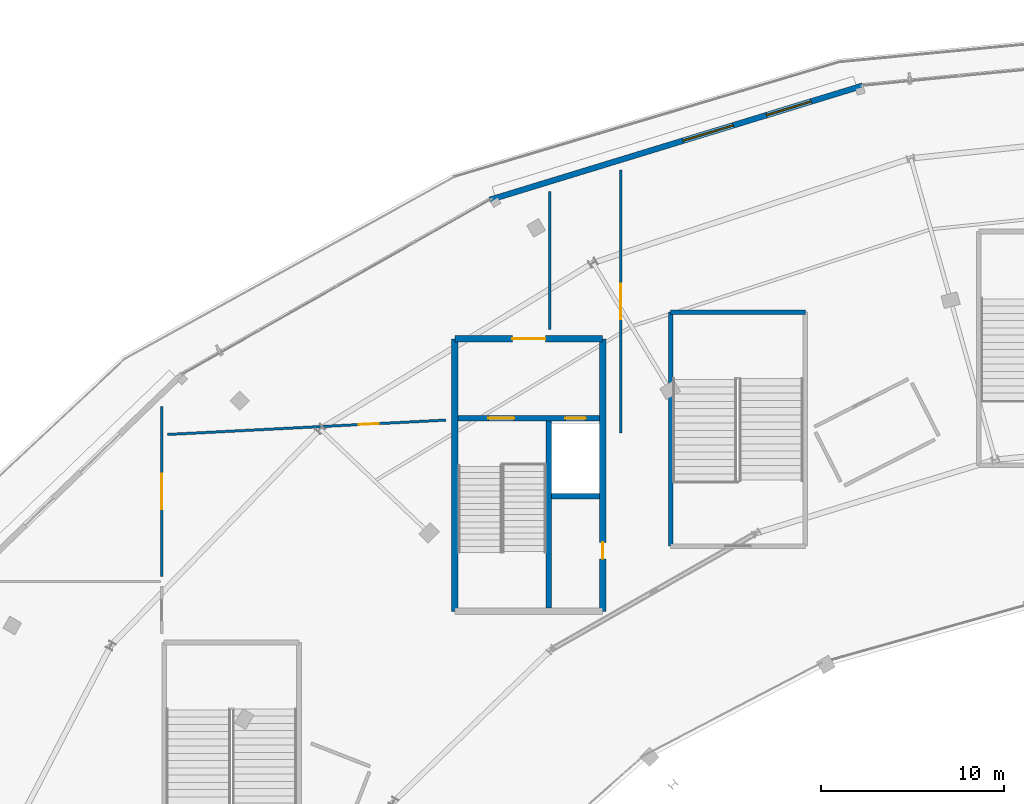
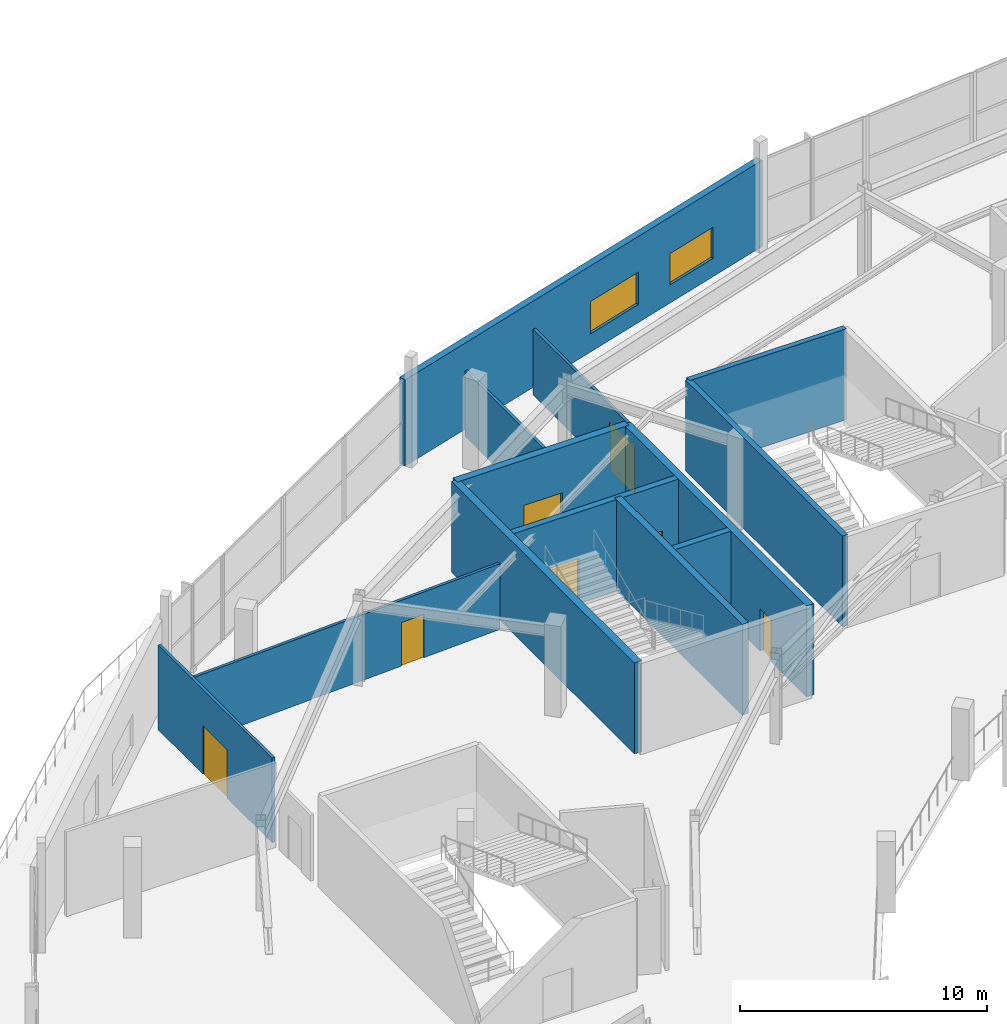
# One storey, part 89 of 123: 13 walls, 7 doors, 2 windows, 9 openings.
"""IFC4 building model written with IfcOpenShell, lengths in metres."""

from ifc_helpers import new_model, si_unit, direction, frame, frame_2d, origin, place, context, subcontext, project, spatial, rectangle, extrude, material, layer, layer_set, type_object, element, fill, save


model = new_model("IFC4")

# Units and contexts
model_context = context("Model", 3, precision=1e-05, world=origin(), true_north=direction((0.0, 1.0)))
body_context = subcontext(model_context, "Body", "Model", "MODEL_VIEW")
ifc_project = project(units=[si_unit("LENGTHUNIT", "METRE"), si_unit("AREAUNIT", "SQUARE_METRE"), si_unit("VOLUMEUNIT", "CUBIC_METRE"), si_unit("PLANEANGLEUNIT", "RADIAN"), si_unit("MASSUNIT", "GRAM", prefix="KILO")], contexts=[model_context])

# Site, building, storey
site_placement = place(None, origin())
site = spatial("IfcSite", under=ifc_project, at=site_placement, CompositionType="ELEMENT")
building_placement = place(site_placement, origin())
building = spatial("IfcBuilding", under=site, at=building_placement, Name="Kalgoora Escarpment Arena", CompositionType="ELEMENT")
storey_placement = place(building_placement, frame((0.0, 0.0, 9.89990234375)))
storey = spatial("IfcBuildingStorey", under=building, at=storey_placement, Name="L02", CompositionType="ELEMENT", Elevation=9.89990234375)

# Wall, opening, door
ifc_material_1 = material(Name="Concrete N50 (fc' 50 MPa)", Category="concrete")
ifc_layer_1 = layer(ifc_material_1, 0.35009765625)
ifc_layer_set_1 = layer_set([ifc_layer_1], Name="WAL-CORE-350")
wall_type_1 = type_object("IfcWallType", Name="WAL-CORE-350", PredefinedType="SHEAR", material=ifc_layer_set_1)
wall_1_placement = place(storey_placement, frame((48.97509765625, 109.22509765625, 0.0), z_axis=(0.0, 0.0, 1.0), x_axis=(1.0, 0.0, 0.0)))
wall_1 = element("IfcWall", 1, at=wall_1_placement, inside=storey, type_object=wall_type_1, Name="Core C3 L02 north lobby wall", PredefinedType="SHEAR", context=body_context, shape_type="SweptSolid", body=[
    extrude(rectangle(XDim=8.0498046875, YDim=0.35009765625, at=frame_2d((4.02490234375, 0.0))), origin(), (0.0, 0.0, 1.0), 4.5),
])
opening_1_placement = place(wall_1_placement, frame((3.125, 0.0, 0.0)))
opening_1 = element("IfcOpeningElement", 2, at=opening_1_placement, cuts=wall_1, Name="Opening FD-C3L", PredefinedType="OPENING", context=body_context, shape_type="SweptSolid", body=[
    extrude(rectangle(XDim=1.800048828125, YDim=2.25, at=frame_2d((0.89990234375, 1.125))), frame((0.0, 0.18505859375, 0.0), z_axis=(0.0, -1.0, 0.0), x_axis=(1.0, 0.0, 0.0)), (0.0, 0.0, 1.0), 0.3701171875),
])
ifc_material_2 = material(Name="Double fire-rated smoke-seal lobby door")
door_type_1 = type_object("IfcDoorType", Name="DR-LOBBY-1800", OperationType="NOTDEFINED", PredefinedType="DOOR", material=ifc_material_2)
door_1_placement = place(opening_1_placement, origin())
door_1 = element("IfcDoor", 3, at=door_1_placement, inside=storey, type_object=door_type_1, Name="Core C3 L02 smoke-lobby fire door", OperationType="DOUBLE_DOOR_SINGLE_SWING", OverallHeight=2.25, OverallWidth=1.800048828125, PredefinedType="DOOR", context=body_context, shape_type="SweptSolid", body=[
    extrude(rectangle(XDim=1.800048828125, YDim=2.25, at=frame_2d((0.89990234375, 1.125))), frame((0.0, 0.02490234375, 0.0), z_axis=(0.0, -1.0, 0.0), x_axis=(1.0, 0.0, 0.0)), (0.0, 0.0, 1.0), 0.050048828125),
])
fill(opening_1, door_1)

# Wall
wall_2_placement = place(storey_placement, frame((48.97509765625, 94.375, 0.0), z_axis=(0.0, 0.0, 1.0), x_axis=(0.0, 1.0, 0.0)))
element("IfcWall", 4, at=wall_2_placement, inside=storey, type_object=wall_type_1, Name="Core C3 L02 west shear wall", PredefinedType="SHEAR", context=body_context, shape_type="SweptSolid", body=[
    extrude(rectangle(XDim=14.85009765625, YDim=0.35009765625, at=frame_2d((7.425048828125, 0.0))), origin(), (0.0, 0.0, 1.0), 4.5),
])

# Wall, opening, door
wall_3_placement = place(storey_placement, frame((57.02490234375, 94.375, 0.0), z_axis=(0.0, 0.0, 1.0), x_axis=(0.0, 1.0, 0.0)))
wall_3 = element("IfcWall", 5, at=wall_3_placement, inside=storey, type_object=wall_type_1, Name="Core C3 L02 east shear wall", PredefinedType="SHEAR", context=body_context, shape_type="SweptSolid", body=[
    extrude(rectangle(XDim=14.85009765625, YDim=0.35009765625, at=frame_2d((7.425048828125, 0.0))), origin(), (0.0, 0.0, 1.0), 4.5),
])
opening_2_placement = place(wall_3_placement, frame((2.85498046875, 0.0, 0.0)))
opening_2 = element("IfcOpeningElement", 6, at=opening_2_placement, cuts=wall_3, Name="Opening FD-C3R", PredefinedType="OPENING", context=body_context, shape_type="SweptSolid", body=[
    extrude(rectangle(XDim=0.89990234375, YDim=2.10009765625, at=frame_2d((0.449951171875, 1.050048828125))), frame((0.0, 0.18505859375, 0.0), z_axis=(0.0, -1.0, 0.0), x_axis=(1.0, 0.0, 0.0)), (0.0, 0.0, 1.0), 0.3701171875),
])
ifc_material_3 = material(Name="Fire-rated steel riser access door", Category="steel")
door_type_2 = type_object("IfcDoorType", Name="DR-RISER-0900", OperationType="NOTDEFINED", PredefinedType="DOOR", material=ifc_material_3)
door_2_placement = place(opening_2_placement, origin())
door_2 = element("IfcDoor", 7, at=door_2_placement, inside=storey, type_object=door_type_2, Name="Core C3 L02 riser cupboard access door", OperationType="SINGLE_SWING_RIGHT", OverallHeight=2.10009765625, OverallWidth=0.89990234375, PredefinedType="DOOR", context=body_context, shape_type="SweptSolid", body=[
    extrude(rectangle(XDim=0.89990234375, YDim=2.10009765625, at=frame_2d((0.449951171875, 1.050048828125))), frame((0.0, 0.02490234375, 0.0), z_axis=(0.0, -1.0, 0.0), x_axis=(1.0, 0.0, 0.0)), (0.0, 0.0, 1.0), 0.050048828125),
])
fill(opening_2, door_2)

ifc_material_4 = material(Name="Hospitality acoustic drywall partition", Category="gypsum")
ifc_layer_2 = layer(ifc_material_4, 0.135009765625)
ifc_layer_set_2 = layer_set([ifc_layer_2], Name="WAL-DIN-135")
wall_type_2 = type_object("IfcWallType", Name="WAL-DIN-135", PredefinedType="PARTITIONING", material=ifc_layer_set_2)
wall_4_placement = place(storey_placement, frame((33.0, 105.531005859375, 0.0), z_axis=(0.0, 0.0, 1.0), x_axis=(0.0, -1.0, 0.0)))
wall_4 = element("IfcWall", 8, at=wall_4_placement, inside=storey, type_object=wall_type_2, Name="L02 Corporate Dining partition wall", PredefinedType="PARTITIONING", context=body_context, shape_type="SweptSolid", body=[
    extrude(rectangle(XDim=9.24609375, YDim=0.135009765625, at=frame_2d((4.623046875, 0.0))), origin(), (0.0, 0.0, 1.0), 4.190185546875),
])
opening_3_placement = place(wall_4_placement, frame((3.648193359375, 0.0, 0.0)))
opening_3 = element("IfcOpeningElement", 9, at=opening_3_placement, cuts=wall_4, Name="Opening FD-I095", PredefinedType="OPENING", context=body_context, shape_type="SweptSolid", body=[
    extrude(rectangle(XDim=1.949951171875, YDim=2.39990234375, at=frame_2d((0.97509765625, 1.199951171875))), frame((0.0, 0.077392578125, 0.0), z_axis=(0.0, -1.0, 0.0), x_axis=(1.0, 0.0, 0.0)), (0.0, 0.0, 1.0), 0.155029296875),
])
ifc_material_5 = material(Name="Glazed champagne-framed hospitality double door")
door_type_3 = type_object("IfcDoorType", Name="DR-CLUB-1950", OperationType="NOTDEFINED", PredefinedType="DOOR", material=ifc_material_5)
door_3_placement = place(opening_3_placement, origin())
door_3 = element("IfcDoor", 10, at=door_3_placement, inside=storey, type_object=door_type_3, Name="Corporate Dining entrance door", OperationType="DOUBLE_DOOR_SINGLE_SWING", OverallHeight=2.39990234375, OverallWidth=1.949951171875, PredefinedType="DOOR", context=body_context, shape_type="SweptSolid", body=[
    extrude(rectangle(XDim=1.949951171875, YDim=2.39990234375, at=frame_2d((0.97509765625, 1.199951171875))), frame((0.0, 0.02490234375, 0.0), z_axis=(0.0, -1.0, 0.0), x_axis=(1.0, 0.0, 0.0)), (0.0, 0.0, 1.0), 0.050048828125),
])
fill(opening_3, door_3)

wall_5_placement = place(storey_placement, frame((48.47509765625, 104.79443359375, 0.0), z_axis=(0.0, 0.0, 1.0), x_axis=(-0.998670837392, -0.051541813545, 0.0)))
wall_5 = element("IfcWall", 11, at=wall_5_placement, inside=storey, type_object=wall_type_2, Name="L02 Founders Champagne Salon partition wall", PredefinedType="PARTITIONING", context=body_context, shape_type="SweptSolid", body=[
    extrude(rectangle(XDim=15.195556640625, YDim=0.135009765625, at=frame_2d((7.59765625, 0.0))), origin(), (0.0, 0.0, 1.0), 3.255126953125),
])
opening_4_placement = place(wall_5_placement, frame((3.669921875, 0.0, 0.0)))
opening_4 = element("IfcOpeningElement", 12, at=opening_4_placement, cuts=wall_5, Name="Opening FD-I096", PredefinedType="OPENING", context=body_context, shape_type="SweptSolid", body=[
    extrude(rectangle(XDim=1.080078125, YDim=2.14990234375, at=frame_2d((0.5400390625, 1.074951171875))), frame((0.0, 0.077392578125, 0.0), z_axis=(0.0, -1.0, 0.0), x_axis=(1.0, 0.0, 0.0)), (0.0, 0.0, 1.0), 0.155029296875),
])
ifc_material_6 = material(Name="Solid-core acoustic timber door", Category="wood")
door_type_4 = type_object("IfcDoorType", Name="DR-GEN-1080", OperationType="NOTDEFINED", PredefinedType="DOOR", material=ifc_material_6)
door_4_placement = place(opening_4_placement, origin())
door_4 = element("IfcDoor", 13, at=door_4_placement, inside=storey, type_object=door_type_4, Name="Founders Champagne Salon entrance door", OperationType="SINGLE_SWING_LEFT", OverallHeight=2.14990234375, OverallWidth=1.080078125, PredefinedType="DOOR", context=body_context, shape_type="SweptSolid", body=[
    extrude(rectangle(XDim=1.080078125, YDim=2.14990234375, at=frame_2d((0.5400390625, 1.074951171875))), frame((0.0, 0.02490234375, 0.0), z_axis=(0.0, -1.0, 0.0), x_axis=(1.0, 0.0, 0.0)), (0.0, 0.0, 1.0), 0.050048828125),
])
fill(opening_4, door_4)

# Wall
wall_6_placement = place(storey_placement, frame((54.14990234375, 117.25, 0.0), z_axis=(0.0, 0.0, 1.0), x_axis=(0.0, -1.0, 0.0)))
element("IfcWall", 14, at=wall_6_placement, inside=storey, type_object=wall_type_2, Name="L02 Founders Champagne Salon partition wall", PredefinedType="PARTITIONING", context=body_context, shape_type="SweptSolid", body=[
    extrude(rectangle(XDim=7.52490234375, YDim=0.135009765625, at=frame_2d((3.762451171875, 0.0))), origin(), (0.0, 0.0, 1.0), 3.255126953125),
])

# Wall, opening, door
wall_7_placement = place(storey_placement, frame((58.0, 118.4287109375, 0.0), z_axis=(0.0, 0.0, 1.0), x_axis=(0.0, -1.0, 0.0)))
wall_7 = element("IfcWall", 15, at=wall_7_placement, inside=storey, type_object=wall_type_2, Name="L02 Founders Champagne Salon 2 partition wall", PredefinedType="PARTITIONING", context=body_context, shape_type="SweptSolid", body=[
    extrude(rectangle(XDim=14.3486328125, YDim=0.135009765625, at=frame_2d((7.17431640625, 0.0))), origin(), (0.0, 0.0, 1.0), 3.255126953125),
])
opening_5_placement = place(wall_7_placement, frame((6.19921875, 0.0, 0.0)))
opening_5 = element("IfcOpeningElement", 16, at=opening_5_placement, cuts=wall_7, Name="Opening FD-I097", PredefinedType="OPENING", context=body_context, shape_type="SweptSolid", body=[
    extrude(rectangle(XDim=1.949951171875, YDim=2.39990234375, at=frame_2d((0.97509765625, 1.199951171875))), frame((0.0, 0.077392578125, 0.0), z_axis=(0.0, -1.0, 0.0), x_axis=(1.0, 0.0, 0.0)), (0.0, 0.0, 1.0), 0.155029296875),
])
door_5_placement = place(opening_5_placement, origin())
door_5 = element("IfcDoor", 17, at=door_5_placement, inside=storey, type_object=door_type_3, Name="Founders Champagne Salon 2 entrance door", OperationType="DOUBLE_DOOR_SINGLE_SWING", OverallHeight=2.39990234375, OverallWidth=1.949951171875, PredefinedType="DOOR", context=body_context, shape_type="SweptSolid", body=[
    extrude(rectangle(XDim=1.949951171875, YDim=2.39990234375, at=frame_2d((0.97509765625, 1.199951171875))), frame((0.0, 0.02490234375, 0.0), z_axis=(0.0, -1.0, 0.0), x_axis=(1.0, 0.0, 0.0)), (0.0, 0.0, 1.0), 0.050048828125),
])
fill(opening_5, door_5)

# Wall, openings, windows
ifc_material_7 = material(Name="Insulated limestone cladding precast wall 40 MPa", Category="masonry")
ifc_layer_3 = layer(ifc_material_7, 0.31494140625)
ifc_layer_set_3 = layer_set([ifc_layer_3], Name="WAL-EXT-315")
wall_type_3 = type_object("IfcWallType", Name="WAL-EXT-315", PredefinedType="SOLIDWALL", material=ifc_layer_set_3)
wall_8_placement = place(storey_placement, frame((50.871337890625, 116.796630859375, 0.0), z_axis=(0.0, 0.0, 1.0), x_axis=(0.956190176803, 0.292746213956, 0.0)))
wall_8 = element("IfcWall", 18, at=wall_8_placement, inside=storey, type_object=wall_type_3, Name="L02 limestone-faced external wall 047", PredefinedType="SOLIDWALL", context=body_context, shape_type="SweptSolid", body=[
    extrude(rectangle(XDim=21.250244140625, YDim=0.31494140625, at=frame_2d((10.625, 0.0))), origin(), (0.0, 0.0, 1.0), 4.26513671875),
])
opening_6_placement = place(wall_8_placement, frame((11.02490234375, 0.0, 0.89990234375)))
opening_6 = element("IfcOpeningElement", 19, at=opening_6_placement, cuts=wall_8, Name="Opening W-11", PredefinedType="OPENING", context=body_context, shape_type="SweptSolid", body=[
    extrude(rectangle(XDim=2.85009765625, YDim=1.60009765625, at=frame_2d((1.425048828125, 0.800048828125))), frame((0.0, 0.16748046875, 0.0), z_axis=(0.0, -1.0, 0.0), x_axis=(1.0, 0.0, 0.0)), (0.0, 0.0, 1.0), 0.3349609375),
])
opening_7_placement = place(wall_8_placement, frame((15.77490234375, 0.0, 0.89990234375)))
opening_7 = element("IfcOpeningElement", 20, at=opening_7_placement, cuts=wall_8, Name="Opening W-13", PredefinedType="OPENING", context=body_context, shape_type="SweptSolid", body=[
    extrude(rectangle(XDim=2.550048828125, YDim=1.550048828125, at=frame_2d((1.27490234375, 0.77490234375))), frame((0.0, 0.16748046875, 0.0), z_axis=(0.0, -1.0, 0.0), x_axis=(1.0, 0.0, 0.0)), (0.0, 0.0, 1.0), 0.3349609375),
])
ifc_material_8 = material(Name="Low-E solar-control double glazing in champagne frame", Category="glass")
window_type_1 = type_object("IfcWindowType", Name="WIN-BAND-2550x1550", PartitioningType="SINGLE_PANEL", PredefinedType="WINDOW", material=ifc_material_8)
window_1_placement = place(opening_7_placement, origin())
window_1 = element("IfcWindow", 21, at=window_1_placement, inside=storey, type_object=window_type_1, Name="L02 scheduled facade window 050", OverallHeight=1.550048828125, OverallWidth=2.550048828125, PartitioningType="SINGLE_PANEL", PredefinedType="WINDOW", context=body_context, shape_type="SweptSolid", body=[
    extrude(rectangle(XDim=2.550048828125, YDim=1.550048828125, at=frame_2d((1.27490234375, 0.77490234375))), frame((0.0, 0.030029296875, 0.0), z_axis=(0.0, -1.0, 0.0), x_axis=(1.0, 0.0, 0.0)), (0.0, 0.0, 1.0), 0.06005859375),
])
fill(opening_7, window_1)
ifc_material_9 = material(Name="Low-E solar-control double glazing in champagne frame", Category="glass")
window_type_2 = type_object("IfcWindowType", Name="WIN-BAND-2850x1600", PartitioningType="SINGLE_PANEL", PredefinedType="WINDOW", material=ifc_material_9)
window_2_placement = place(opening_6_placement, origin())
window_2 = element("IfcWindow", 22, at=window_2_placement, inside=storey, type_object=window_type_2, Name="L02 scheduled facade window 049", OverallHeight=1.60009765625, OverallWidth=2.85009765625, PartitioningType="SINGLE_PANEL", PredefinedType="WINDOW", context=body_context, shape_type="SweptSolid", body=[
    extrude(rectangle(XDim=2.85009765625, YDim=1.60009765625, at=frame_2d((1.425048828125, 0.800048828125))), frame((0.0, 0.030029296875, 0.0), z_axis=(0.0, -1.0, 0.0), x_axis=(1.0, 0.0, 0.0)), (0.0, 0.0, 1.0), 0.06005859375),
])
fill(opening_6, window_2)

# Wall, openings, doors
ifc_material_10 = material(Name="Concrete N50 (fc' 50 MPa)", Category="concrete")
ifc_layer_4 = layer(ifc_material_10, 0.300048828125)
ifc_layer_set_4 = layer_set([ifc_layer_4], Name="WAL-SHAFT-300")
wall_type_4 = type_object("IfcWallType", Name="WAL-SHAFT-300", PredefinedType="SHEAR", material=ifc_layer_set_4)
wall_9_placement = place(storey_placement, frame((49.14990234375, 104.89990234375, 0.0), z_axis=(0.0, 0.0, 1.0), x_axis=(1.0, 0.0, 0.0)))
wall_9 = element("IfcWall", 23, at=wall_9_placement, inside=storey, type_object=wall_type_4, Name="Core C3 L02 lobby shaft wall", PredefinedType="SHEAR", context=body_context, shape_type="SweptSolid", body=[
    extrude(rectangle(XDim=7.7001953125, YDim=0.300048828125, at=frame_2d((3.85009765625, 0.0))), origin(), (0.0, 0.0, 1.0), 4.5),
])
opening_8_placement = place(wall_9_placement, frame((1.64990234375, 0.0, 0.0)))
opening_8 = element("IfcOpeningElement", 24, at=opening_8_placement, cuts=wall_9, Name="Opening FD-ST03", PredefinedType="OPENING", context=body_context, shape_type="SweptSolid", body=[
    extrude(rectangle(XDim=1.39990234375, YDim=2.199951171875, at=frame_2d((0.699951171875, 1.10009765625))), frame((0.0, 0.159912109375, 0.0), z_axis=(0.0, -1.0, 0.0), x_axis=(1.0, 0.0, 0.0)), (0.0, 0.0, 1.0), 0.320068359375),
])
opening_9_placement = place(wall_9_placement, frame((5.85009765625, 0.0, 0.0)))
opening_9 = element("IfcOpeningElement", 25, at=opening_9_placement, cuts=wall_9, Name="Opening LD-PL1", PredefinedType="OPENING", context=body_context, shape_type="SweptSolid", body=[
    extrude(rectangle(XDim=1.10009765625, YDim=2.199951171875, at=frame_2d((0.550048828125, 1.10009765625))), frame((0.0, 0.159912109375, 0.0), z_axis=(0.0, -1.0, 0.0), x_axis=(1.0, 0.0, 0.0)), (0.0, 0.0, 1.0), 0.320068359375),
])
ifc_material_11 = material(Name="Brushed stainless steel sliding lift landing door", Category="steel")
door_type_5 = type_object("IfcDoorType", Name="DR-LD-PL1", OperationType="SLIDING_TO_LEFT", PredefinedType="DOOR", material=ifc_material_11)
door_6_placement = place(opening_9_placement, origin())
door_6 = element("IfcDoor", 26, at=door_6_placement, inside=storey, type_object=door_type_5, Name="Lift PL1 L02 sliding landing door", OperationType="SLIDING_TO_LEFT", OverallHeight=2.199951171875, OverallWidth=1.10009765625, PredefinedType="DOOR", context=body_context, shape_type="SweptSolid", body=[
    extrude(rectangle(XDim=1.10009765625, YDim=2.199951171875, at=frame_2d((0.550048828125, 1.10009765625))), frame((0.0, 0.02490234375, 0.0), z_axis=(0.0, -1.0, 0.0), x_axis=(1.0, 0.0, 0.0)), (0.0, 0.0, 1.0), 0.050048828125),
])
fill(opening_9, door_6)
ifc_material_12 = material(Name="Fire-rated steel stair leaf with vision panel", Category="steel")
door_type_6 = type_object("IfcDoorType", Name="DR-STAIR-1400", OperationType="NOTDEFINED", PredefinedType="DOOR", material=ifc_material_12)
door_7_placement = place(opening_8_placement, origin())
door_7 = element("IfcDoor", 27, at=door_7_placement, inside=storey, type_object=door_type_6, Name="Fire stair ST03 L02 fire door", OperationType="SINGLE_SWING_LEFT", OverallHeight=2.199951171875, OverallWidth=1.39990234375, PredefinedType="DOOR", context=body_context, shape_type="SweptSolid", body=[
    extrude(rectangle(XDim=1.39990234375, YDim=2.199951171875, at=frame_2d((0.699951171875, 1.10009765625))), frame((0.0, 0.02490234375, 0.0), z_axis=(0.0, -1.0, 0.0), x_axis=(1.0, 0.0, 0.0)), (0.0, 0.0, 1.0), 0.050048828125),
])
fill(opening_8, door_7)

# Walls
wall_10_placement = place(storey_placement, frame((54.10009765625, 94.550048828125, 0.0), z_axis=(0.0, 0.0, 1.0), x_axis=(0.0, 1.0, 0.0)))
element("IfcWall", 28, at=wall_10_placement, inside=storey, type_object=wall_type_4, Name="Core C3 L02 stair-lift spine wall", PredefinedType="SHEAR", context=body_context, shape_type="SweptSolid", body=[
    extrude(rectangle(XDim=10.349853515625, YDim=0.300048828125, at=frame_2d((5.1748046875, 0.0))), origin(), (0.0, 0.0, 1.0), 4.5),
])
wall_11_placement = place(storey_placement, frame((54.25, 100.64990234375, 0.0), z_axis=(0.0, 0.0, 1.0), x_axis=(1.0, 0.0, 0.0)))
element("IfcWall", 29, at=wall_11_placement, inside=storey, type_object=wall_type_4, Name="Core C3 L02 lift-riser divider wall", PredefinedType="SHEAR", context=body_context, shape_type="SweptSolid", body=[
    extrude(rectangle(XDim=2.60009765625, YDim=0.300048828125, at=frame_2d((1.300048828125, 0.0))), origin(), (0.0, 0.0, 1.0), 4.5),
])
ifc_material_13 = material(Name="Concrete N50 (fc' 50 MPa)", Category="concrete")
ifc_layer_5 = layer(ifc_material_13, 0.25)
ifc_layer_set_5 = layer_set([ifc_layer_5], Name="WAL-STAIR-250")
wall_type_5 = type_object("IfcWallType", Name="WAL-STAIR-250", PredefinedType="SHEAR", material=ifc_layer_set_5)
wall_12_placement = place(storey_placement, frame((60.72509765625, 110.675048828125, 0.0), z_axis=(0.0, 0.0, 1.0), x_axis=(1.0, 0.0, 0.0)))
element("IfcWall", 30, at=wall_12_placement, inside=storey, type_object=wall_type_5, Name="Exit stair ST09 L02 north wall", PredefinedType="SHEAR", context=body_context, shape_type="SweptSolid", body=[
    extrude(rectangle(XDim=7.349853515625, YDim=0.25, at=frame_2d((3.6748046875, 0.0))), origin(), (0.0, 0.0, 1.0), 4.5),
])
wall_13_placement = place(storey_placement, frame((60.72509765625, 97.925048828125, 0.0), z_axis=(0.0, 0.0, 1.0), x_axis=(0.0, 1.0, 0.0)))
element("IfcWall", 31, at=wall_13_placement, inside=storey, type_object=wall_type_5, Name="Exit stair ST09 L02 west wall", PredefinedType="SHEAR", context=body_context, shape_type="SweptSolid", body=[
    extrude(rectangle(XDim=12.75, YDim=0.25, at=frame_2d((6.375, 0.0))), origin(), (0.0, 0.0, 1.0), 4.5),
])

save(model, "model.ifc")
